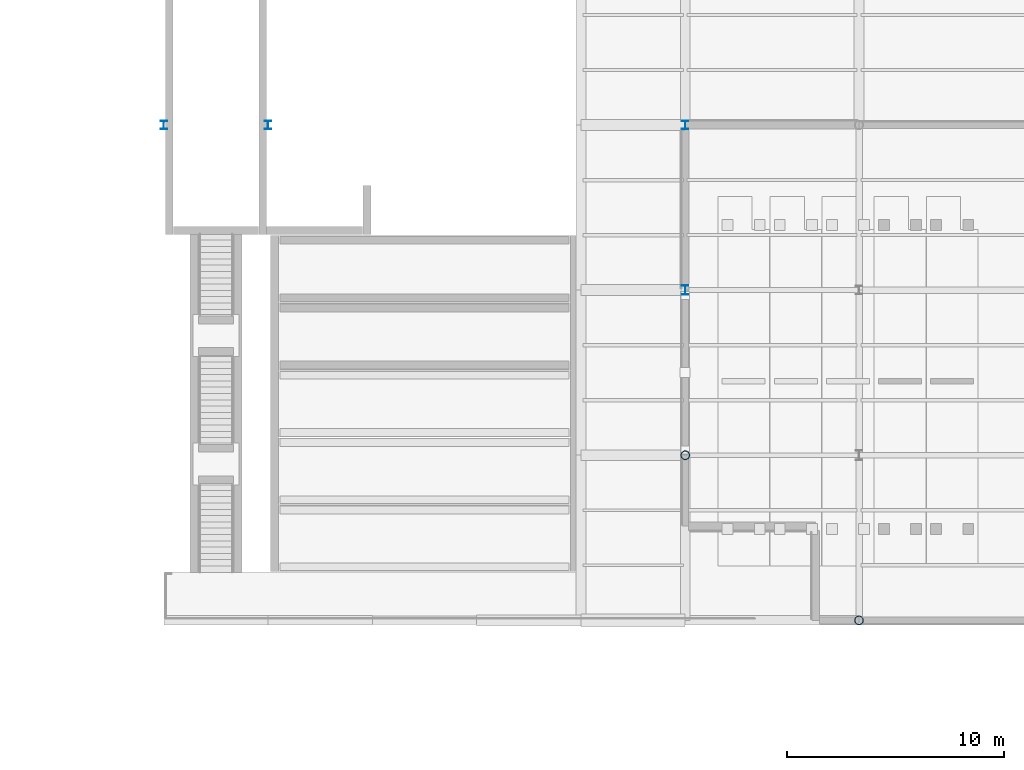
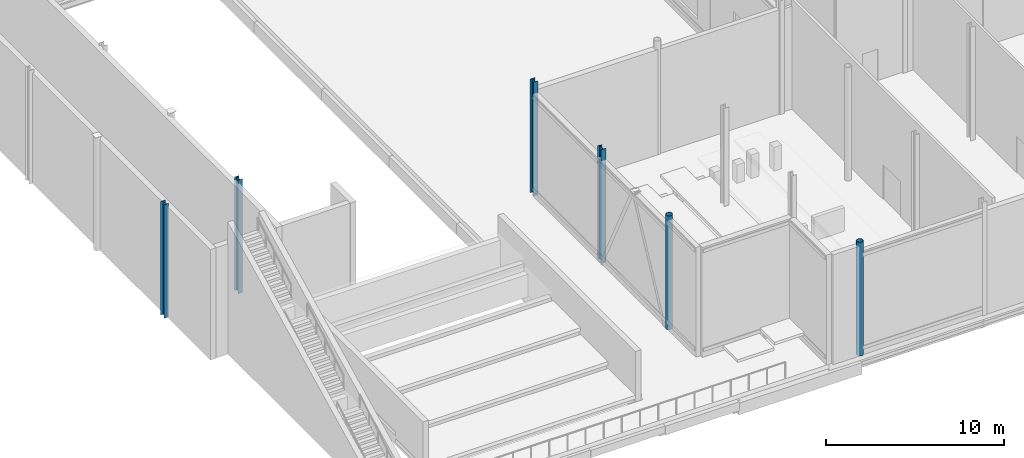
# One storey, part 1 of 176: 6 columns.
"""IFC4 building model written with IfcOpenShell, lengths in metres."""

from ifc_helpers import new_model, si_unit, direction, frame, origin, origin_2d, place, context, subcontext, project, spatial, hollow_circle, i_section, extrude, material, material_profile, profile_set, type_object, element, save


model = new_model("IFC4")

# Units and contexts
model_context = context("Model", 3, precision=1e-05, world=origin(), true_north=direction((0.0, 1.0)))
body_context = subcontext(model_context, "Body", "Model", "MODEL_VIEW")
ifc_project = project(units=[si_unit("LENGTHUNIT", "METRE"), si_unit("AREAUNIT", "SQUARE_METRE"), si_unit("VOLUMEUNIT", "CUBIC_METRE"), si_unit("PLANEANGLEUNIT", "RADIAN"), si_unit("MASSUNIT", "GRAM", prefix="KILO")], contexts=[model_context])

# Site, building, storey
site_placement = place(None, origin())
site = spatial("IfcSite", under=ifc_project, at=site_placement, CompositionType="ELEMENT")
building_placement = place(site_placement, origin())
building = spatial("IfcBuilding", under=site, at=building_placement, Name="Vekula Escarpment Museum", CompositionType="ELEMENT")
storey_placement = place(building_placement, origin())
storey = spatial("IfcBuildingStorey", under=building, at=storey_placement, Name="L01", CompositionType="ELEMENT", Elevation=0.0)

# Columns
ifc_material_1 = material(Name="Steel S355", Category="steel")
ifc_material_profile_1 = material_profile(ifc_material_1, hollow_circle(Radius=0.203125, WallThickness=0.02001953125, at=origin_2d()), Name="CHS 406.4x20")
ifc_profile_set_1 = profile_set([ifc_material_profile_1], Name="Steel S355")
column_type_1 = type_object("IfcColumnType", Name="COL-S-CHS406", PredefinedType="COLUMN", material=ifc_profile_set_1)
for number, where, z_axis, x_axis, name in (
    (1, (24.0, 7.60009765625, 0.0), (0.0, 0.0, 1.0), (1.0, 0.0, 0.0), "Column L01 (24.0,7.6)"),
    (2, (32.0, 0.0, 0.0), (0.0, 0.0, 1.0), (1.0, 0.0, 0.0), "Column L01 (32.0,0.0)"),
):
    element("IfcColumn", number, at=place(storey_placement, frame(where, z_axis=z_axis, x_axis=x_axis)), inside=storey, type_object=column_type_1, Name=name, PredefinedType="COLUMN", context=body_context, shape_type="SweptSolid", body=[
        extrude(hollow_circle(Radius=0.203125, WallThickness=0.02001953125, at=origin_2d()), origin(), (0.0, 0.0, 1.0), 7.800048828125),
    ])
ifc_material_2 = material(Name="Steel S355", Category="steel")
ifc_material_profile_2 = material_profile(ifc_material_2, i_section(OverallWidth=0.300048828125, OverallDepth=0.389892578125, WebThickness=0.010986328125, FlangeThickness=0.01904296875, FilletRadius=0.027099609375, at=origin_2d()), Name="HEA 400")
ifc_profile_set_2 = profile_set([ifc_material_profile_2], Name="Steel S355")
column_type_2 = type_object("IfcColumnType", Name="COL-S-HEA400", PredefinedType="COLUMN", material=ifc_profile_set_2)
for number, where, z_axis, x_axis, name in (
    (3, (0.0, 22.800048828125, 0.0), (0.0, 0.0, 1.0), (1.0, 0.0, 0.0), "Column L01 (0.0,22.8)"),
    (4, (4.800048828125, 22.800048828125, 0.0), (0.0, 0.0, 1.0), (1.0, 0.0, 0.0), "Column L01 (4.8,22.8)"),
    (5, (24.0, 22.800048828125, 0.0), (0.0, 0.0, 1.0), (1.0, 0.0, 0.0), "Column L01 (24.0,22.8)"),
):
    element("IfcColumn", number, at=place(storey_placement, frame(where, z_axis=z_axis, x_axis=x_axis)), inside=storey, type_object=column_type_2, Name=name, PredefinedType="COLUMN", context=body_context, shape_type="SweptSolid", body=[
        extrude(i_section(OverallWidth=0.300048828125, OverallDepth=0.389892578125, WebThickness=0.010986328125, FlangeThickness=0.01904296875, FilletRadius=0.027099609375, at=origin_2d()), origin(), (0.0, 0.0, 1.0), 7.800048828125),
    ])
ifc_material_3 = material(Name="Steel S355", Category="steel")
ifc_material_profile_3 = material_profile(ifc_material_3, i_section(OverallWidth=0.300048828125, OverallDepth=0.43994140625, WebThickness=0.011474609375, FlangeThickness=0.02099609375, FilletRadius=0.027099609375, at=origin_2d()), Name="HEA 450")
ifc_profile_set_3 = profile_set([ifc_material_profile_3], Name="Steel S355")
column_type_3 = type_object("IfcColumnType", Name="COL-S-HEA450", PredefinedType="COLUMN", material=ifc_profile_set_3)
column_placement = place(storey_placement, frame((24.0, 15.199951171875, 0.0), z_axis=(0.0, 0.0, 1.0), x_axis=(1.0, 0.0, 0.0)))
element("IfcColumn", 6, at=column_placement, inside=storey, type_object=column_type_3, Name="Column L01 (24.0,15.2)", PredefinedType="COLUMN", context=body_context, shape_type="SweptSolid", body=[
    extrude(i_section(OverallWidth=0.300048828125, OverallDepth=0.43994140625, WebThickness=0.011474609375, FlangeThickness=0.02099609375, FilletRadius=0.027099609375, at=origin_2d()), origin(), (0.0, 0.0, 1.0), 7.800048828125),
])

save(model, "model.ifc")
